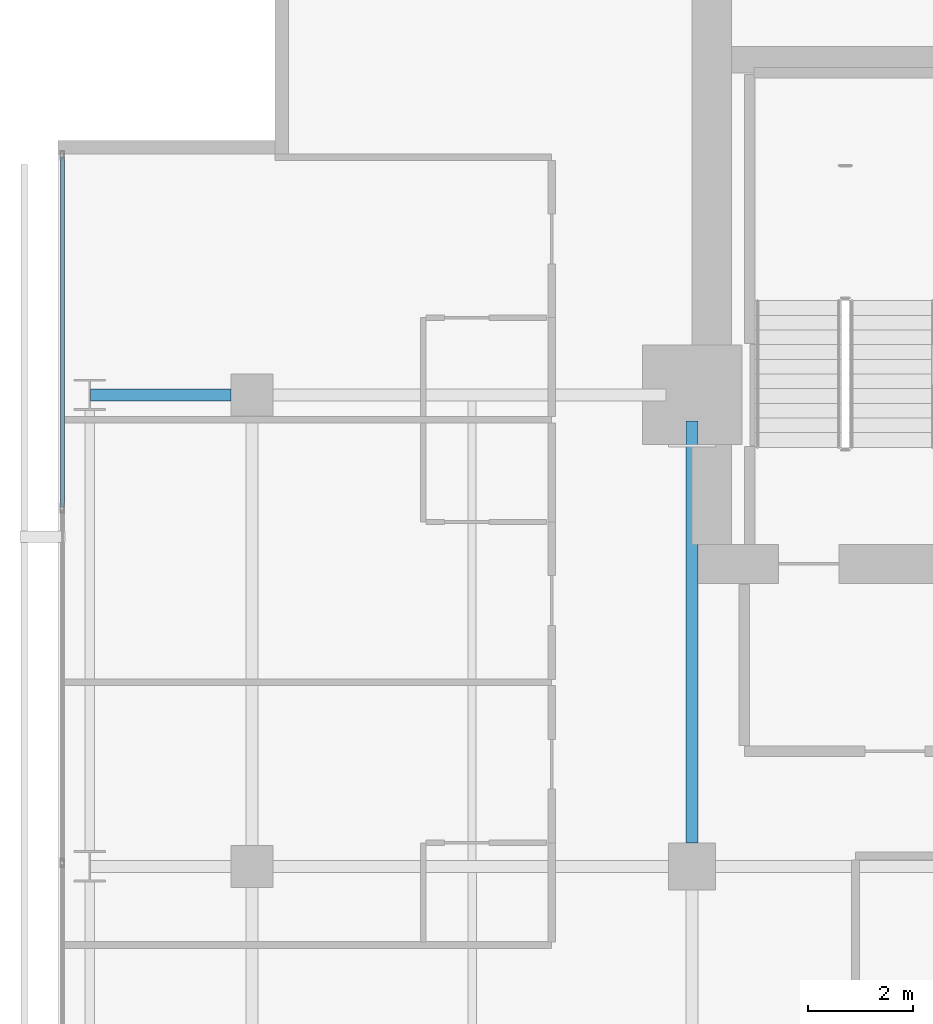
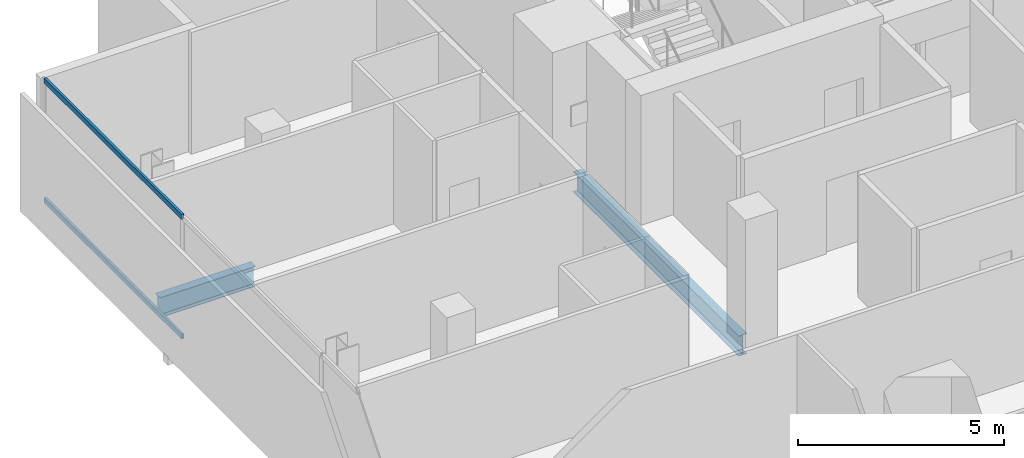
# One storey, part 19 of 34: 2 beams, 2 members, 1 element without a shape of its own.
"""IFC4 building model written with IfcOpenShell, lengths in metres."""

from ifc_helpers import new_model, si_unit, direction, frame, origin, origin_2d, place, context, subcontext, project, spatial, hollow_rectangle, i_section, extrude, material, layer, layer_set, material_profile, profile_set, type_object, element, aggregate, save


model = new_model("IFC4")

# Units and contexts
model_context = context("Model", 3, precision=1e-05, world=origin(), true_north=direction((0.0, 1.0)))
body_context = subcontext(model_context, "Body", "Model", "MODEL_VIEW")
ifc_project = project(units=[si_unit("LENGTHUNIT", "METRE"), si_unit("AREAUNIT", "SQUARE_METRE"), si_unit("VOLUMEUNIT", "CUBIC_METRE"), si_unit("PLANEANGLEUNIT", "RADIAN"), si_unit("MASSUNIT", "GRAM", prefix="KILO")], contexts=[model_context])

# Site, building, storey
site_placement = place(None, origin())
site = spatial("IfcSite", under=ifc_project, at=site_placement, CompositionType="ELEMENT")
building_placement = place(site_placement, origin())
building = spatial("IfcBuilding", under=site, at=building_placement, Name="Maruvema Waterfront Hotel and Observation Tower", CompositionType="ELEMENT")
storey_placement = place(building_placement, frame((0.0, 0.0, 173.60009765625)))
storey = spatial("IfcBuildingStorey", under=building, at=storey_placement, Name="L42", CompositionType="ELEMENT", Elevation=173.60009765625)

# Curtain wall, members
ifc_material_1 = material(Name="Anodised bronze aluminium and solar-control low-E IGU", Category="aluminium")
ifc_layer = layer(ifc_material_1, 0.159912109375, Name="Zone 2 Amber Inner Thermal Curtain Wall System CW-03")
ifc_layer_set = layer_set([ifc_layer], Name="Anodised bronze aluminium and solar-control low-E IGU")
curtain_wall_type = type_object("IfcCurtainWallType", Name="Zone 2 Amber Inner Thermal Curtain Wall System CW-03", PredefinedType="USERDEFINED", material=ifc_layer_set)
curtain_wall_placement = place(storey_placement, origin())
curtain_wall = element("IfcCurtainWall", 1, at=curtain_wall_placement, inside=storey, type_object=curtain_wall_type, Name="L42 Curtain Wall CW-L42-W", ObjectType="UNITISED CURTAIN WALL", PredefinedType="USERDEFINED")
ifc_material_2 = material(Name="Anodised architectural bronze aluminium", Category="aluminium")
ifc_material_profile_1 = material_profile(ifc_material_2, hollow_rectangle(XDim=0.070068359375, YDim=0.14990234375, WallThickness=0.00390625, at=origin_2d()), Name="ALU-T70x150")
ifc_profile_set_1 = profile_set([ifc_material_profile_1], Name="Anodised architectural bronze aluminium")
member_type = type_object("IfcMemberType", Name="Curtain Wall Horizontal Transom ALU-T70x150", PredefinedType="USERDEFINED", material=ifc_profile_set_1)
member_1_placement = place(storey_placement, frame((13.179931640625, 49.5400390625, 0.02978515625), z_axis=(0.0, -1.0, 0.0), x_axis=(1.0, 0.0, 0.0)))
member_1 = element("IfcMember", 2, at=member_1_placement, type_object=member_type, Name="CW-03 transom 1.1", ObjectType="TRANSOM", PredefinedType="USERDEFINED", context=body_context, shape_type="SweptSolid", body=[
    extrude(hollow_rectangle(XDim=0.070068359375, YDim=0.14990234375, WallThickness=0.00390625, at=origin_2d()), origin(), (0.0, 0.0, 1.0), 6.6767578125),
])
member_2_placement = place(storey_placement, frame((13.179931640625, 49.5400390625, 3.579833984375), z_axis=(0.0, -1.0, 0.0), x_axis=(1.0, 0.0, 0.0)))
member_2 = element("IfcMember", 3, at=member_2_placement, type_object=member_type, Name="CW-03 transom 1.2", ObjectType="TRANSOM", PredefinedType="USERDEFINED", context=body_context, shape_type="SweptSolid", body=[
    extrude(hollow_rectangle(XDim=0.070068359375, YDim=0.14990234375, WallThickness=0.00390625, at=origin_2d()), origin(), (0.0, 0.0, 1.0), 6.6767578125),
])
aggregate(curtain_wall, [member_1, member_2])

# Beams
ifc_material_3 = material(Name="Steel ASTM A572 Grade 50", Category="steel")
ifc_material_profile_2 = material_profile(ifc_material_3, i_section(OverallWidth=0.22802734375, OverallDepth=0.60302734375, WebThickness=0.010498046875, FlangeThickness=0.014892578125, FilletRadius=0.01806640625, at=origin_2d()), Name="W610x101.0")
ifc_profile_set_2 = profile_set([ifc_material_profile_2], Name="Steel ASTM A572 Grade 50")
beam_type = type_object("IfcBeamType", Name="Primary Floor Girder W610x101.0", PredefinedType="BEAM", material=ifc_profile_set_2)
beam_1_placement = place(storey_placement, frame((13.71240234375, 45.0, -0.54150390625), z_axis=(1.0, 0.0, 0.0), x_axis=(0.0, 1.0, 0.0)))
element("IfcBeam", 4, at=beam_1_placement, inside=storey, type_object=beam_type, Name="L42 Floor Girder EW-30", PredefinedType="BEAM", context=body_context, shape_type="SweptSolid", body=[
    extrude(i_section(OverallWidth=0.22802734375, OverallDepth=0.60302734375, WebThickness=0.010498046875, FlangeThickness=0.014892578125, FilletRadius=0.01806640625, at=origin_2d()), origin(), (0.0, 0.0, 1.0), 2.6875),
])
beam_2_placement = place(storey_placement, frame((25.199951171875, 36.449951171875, -0.54150390625), z_axis=(0.0, 1.0, 0.0), x_axis=(-1.0, 0.0, 0.0)))
element("IfcBeam", 5, at=beam_2_placement, inside=storey, type_object=beam_type, Name="L42 Floor Girder NS-13", PredefinedType="BEAM", context=body_context, shape_type="SweptSolid", body=[
    extrude(i_section(OverallWidth=0.22802734375, OverallDepth=0.60302734375, WebThickness=0.010498046875, FlangeThickness=0.014892578125, FilletRadius=0.01806640625, at=origin_2d()), origin(), (0.0, 0.0, 1.0), 8.050048828125),
])

save(model, "model.ifc")
